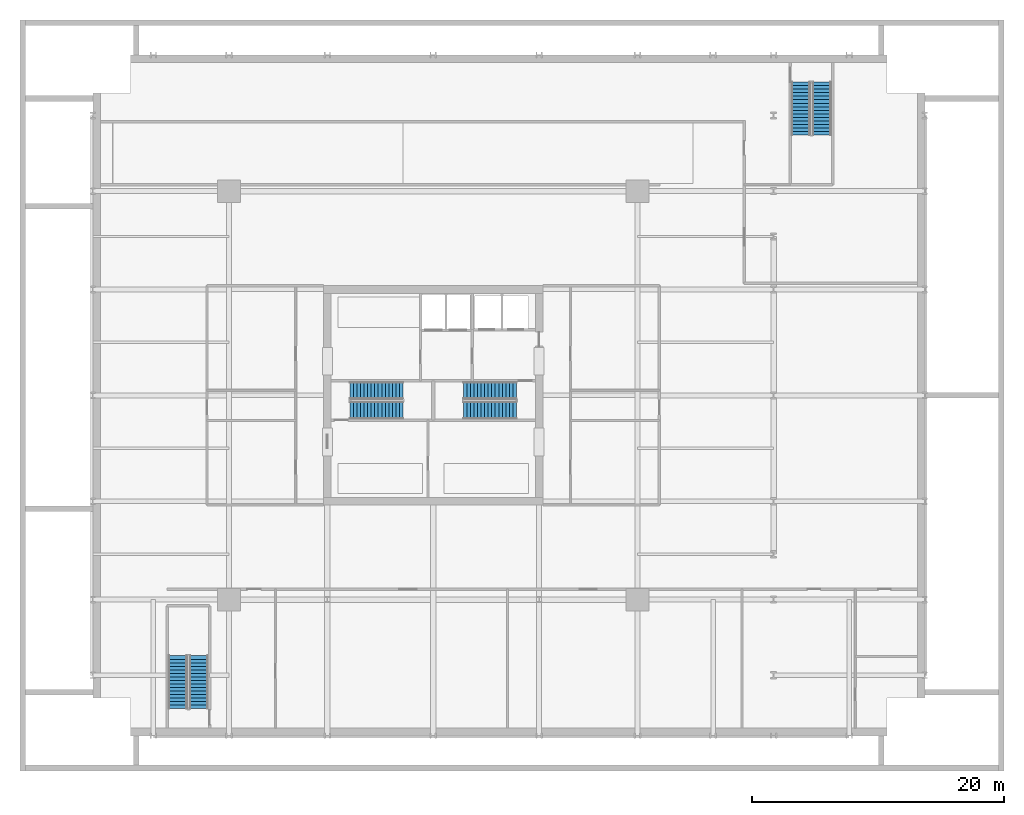
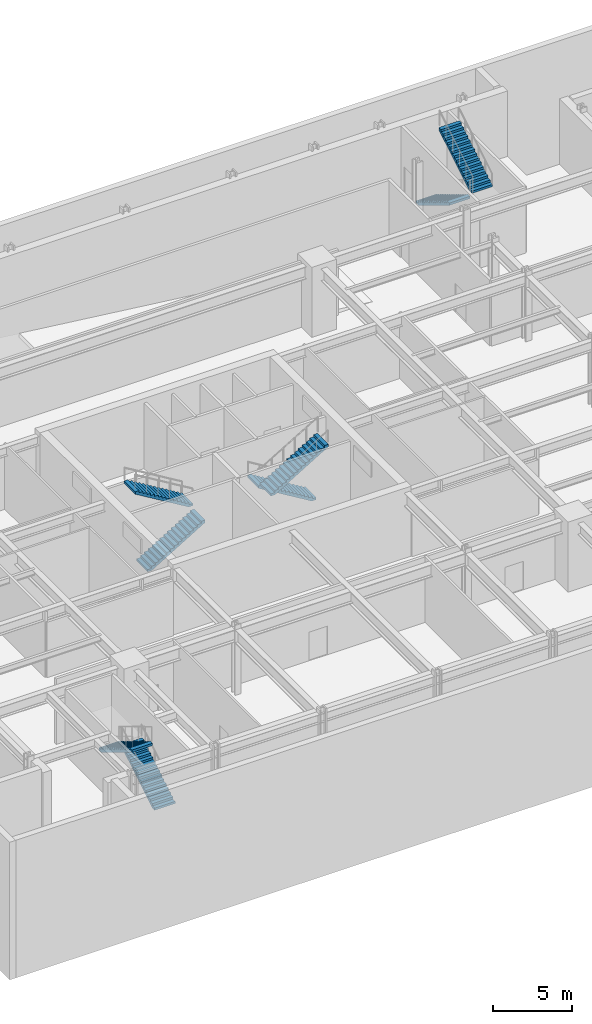
# One storey, part 6 of 9: 8 stair flights, 4 elements without a shape of their own.
"""IFC4 building model written with IfcOpenShell, lengths in metres."""

import ifcopenshell
import ifcopenshell.guid

model = None  # the IFC model being written
_history = None  # IfcOwnerHistory: only IFC2X3 demands one
_inside = {}  # id of a spatial element -> (the spatial element, [elements in it])
_under = {}  # id of a project, library or spatial element -> (it, [spatial elements below it])
_declared = {}  # id of a project -> (the project, [libraries it declares])
_typed = {}  # id of a type object -> (the type object, [elements of that type])
_made_of = {}  # id of a material, layer set ... -> (it, [elements and type objects made of it])


def new_model(schema):
    """Start an empty IFC model of exactly this schema.

    Asked for "IFC4X3", IfcOpenShell would pick the latest addendum, in which some entities
    have other attributes; the version numbers below select the first issue.
    IFC2X3 requires an IfcOwnerHistory on every rooted entity: one is made here for all.
    """
    global model, _history
    if schema == "IFC4X3":
        model = ifcopenshell.file(schema_version=(4, 3, 0, 0))
    else:
        model = ifcopenshell.file(schema=schema)
    _inside.clear()
    _under.clear()
    _declared.clear()
    _typed.clear()
    _made_of.clear()
    _history = None
    if model.schema == "IFC2X3":
        org = make("IfcOrganization", Name="unknown")
        user = make(
            "IfcPersonAndOrganization",
            ThePerson=make("IfcPerson", FamilyName="unknown"),
            TheOrganization=org,
        )
        app = make(
            "IfcApplication",
            ApplicationDeveloper=org,
            Version="unknown",
            ApplicationFullName="unknown",
            ApplicationIdentifier="unknown",
        )
        _history = make(
            "IfcOwnerHistory",
            OwningUser=user,
            OwningApplication=app,
            ChangeAction="ADDED",
            CreationDate=0,
        )
    return model


def make(cls, **values):
    """One entity of the class cls with the attributes given. An attribute that is None is left unset."""
    return model.create_entity(
        cls, **{name: value for name, value in values.items() if value is not None}
    )


def rooted(cls, **values):
    """An entity with a GlobalId (a new one), such as an element, a storey or a relation."""
    return make(cls, GlobalId=ifcopenshell.guid.new(), OwnerHistory=_history, **values)


def si_unit(unit_type, name, prefix=None):
    """IfcSIUnit, for example si_unit("LENGTHUNIT", "METRE", prefix="MILLI")."""
    return make("IfcSIUnit", UnitType=unit_type, Prefix=prefix, Name=name)


def assignment(units):
    """IfcUnitAssignment: the units of a project."""
    return None if units is None else make("IfcUnitAssignment", Units=units)


def point(xyz):
    """IfcCartesianPoint."""
    return None if xyz is None else make("IfcCartesianPoint", Coordinates=xyz)


def direction(xyz):
    """IfcDirection."""
    return None if xyz is None else make("IfcDirection", DirectionRatios=xyz)


def frame(location, z_axis=None, x_axis=None):
    """IfcAxis2Placement3D, a coordinate frame: its origin and axes. An axis left out is left unset."""
    return make(
        "IfcAxis2Placement3D",
        Location=point(location),
        Axis=direction(z_axis),
        RefDirection=direction(x_axis),
    )


def origin():
    """The frame at (0, 0, 0) with its axes left unset."""
    return frame((0.0, 0.0, 0.0))


def place(relative_to, where):
    """IfcLocalPlacement: puts the frame where relative to a parent placement (None: the world)."""
    return make(
        "IfcLocalPlacement", PlacementRelTo=relative_to, RelativePlacement=where
    )


def context(
    kind, dimensions, precision=None, world=None, true_north=None, identifier=None
):
    """IfcGeometricRepresentationContext, for example the 3D "Model" context."""
    return make(
        "IfcGeometricRepresentationContext",
        ContextIdentifier=identifier,
        ContextType=kind,
        CoordinateSpaceDimension=dimensions,
        Precision=precision,
        WorldCoordinateSystem=world,
        TrueNorth=true_north,
    )


def subcontext(parent, identifier, kind, view, scale=None):
    """IfcGeometricRepresentationSubContext, for example "Body" below "Model"."""
    return make(
        "IfcGeometricRepresentationSubContext",
        ContextIdentifier=identifier,
        ContextType=kind,
        ParentContext=parent,
        TargetScale=scale,
        TargetView=view,
    )


def project(units=None, contexts=None):
    """IfcProject with its units and contexts."""
    return rooted(
        "IfcProject",
        Name="project",
        RepresentationContexts=contexts,
        UnitsInContext=assignment(units),
    )


def spatial(cls, under=None, at=None, **own):
    """A site, building, storey or space (cls), placed at a placement, below another one or the project."""
    s = rooted(cls, ObjectPlacement=at, **own)
    if under is not None:
        _under.setdefault(under.id(), (under, []))[1].append(s)
    return s


def polyline(points):
    """IfcPolyline through the points."""
    return make("IfcPolyline", Points=[point(p) for p in points])


def outline(outer, holes=None, kind="AREA"):
    """IfcArbitraryClosedProfileDef: a profile drawn as a closed curve; with holes, ...WithVoids."""
    if holes is None:
        return make("IfcArbitraryClosedProfileDef", ProfileType=kind, OuterCurve=outer)
    return make(
        "IfcArbitraryProfileDefWithVoids",
        ProfileType=kind,
        OuterCurve=outer,
        InnerCurves=holes,
    )


def extrude(swept, where, along, depth):
    """IfcExtrudedAreaSolid: the profile swept, set in the frame where, extruded along a direction by depth."""
    return make(
        "IfcExtrudedAreaSolid",
        SweptArea=swept,
        Position=where,
        ExtrudedDirection=direction(along),
        Depth=depth,
    )


def shape(context_of_items, identifier, shape_type, items):
    """IfcShapeRepresentation: the items that make up one representation, for example the "Body"."""
    return make(
        "IfcShapeRepresentation",
        ContextOfItems=context_of_items,
        RepresentationIdentifier=identifier,
        RepresentationType=shape_type,
        Items=items,
    )


def material(Name=None, Category=None):
    """IfcMaterial."""
    return make("IfcMaterial", Name=Name, Category=Category)


def made_of(thing, what):
    """Note that an element or type object is made of a material, layer set ...; save() writes the relation."""
    if what is not None:
        _made_of.setdefault(what.id(), (what, []))[1].append(thing)
    return thing


def type_object(cls, material=None, **own):
    """A type object (cls), such as IfcWallType, which elements share."""
    return made_of(rooted(cls, **own), material)


def element(
    cls,
    number,
    at=None,
    inside=None,
    cuts=None,
    type_object=None,
    material=None,
    context=None,
    identifier="Body",
    shape_type=None,
    held_by="IfcProductDefinitionShape",
    body=None,
    shapes=None,
    **own,
):
    """One element of the class cls, such as IfcWall. Its Tag is "e" and its number.

    at: its placement. inside: the storey or other place that contains it. cuts: it is an
    opening in that element (IfcRelVoidsElement). A single representation is given by context,
    identifier, shape_type and body (its items); several are given by shapes. held_by: the class
    of the entity that holds the representations. save() writes the other relations.
    """
    e = rooted(cls, Tag="e%d" % number, ObjectPlacement=at, **own)
    if body is not None:
        shapes = [shape(context, identifier, shape_type, body)]
    if shapes is not None:
        e.Representation = make(held_by, Representations=shapes)
    if inside is not None:
        _inside.setdefault(inside.id(), (inside, []))[1].append(e)
    if cuts is not None:
        rooted(
            "IfcRelVoidsElement", RelatingBuildingElement=cuts, RelatedOpeningElement=e
        )
    if type_object is not None:
        _typed.setdefault(type_object.id(), (type_object, []))[1].append(e)
    return made_of(e, material)


def aggregate(whole, parts):
    """IfcRelAggregates: a whole, such as a stair, and the parts it consists of."""
    return rooted("IfcRelAggregates", RelatingObject=whole, RelatedObjects=parts)


def save(model, path):
    """Write the relations noted so far, then the file.

    IfcRelAggregates (storeys below a building ...), IfcRelContainedInSpatialStructure (elements
    in a storey), IfcRelDefinesByType, IfcRelAssociatesMaterial and IfcRelDeclares: one each for
    every whole, place, type object, material and project.
    """
    for whole, parts in _under.values():
        aggregate(whole, parts)
    for where, things in _inside.values():
        rooted(
            "IfcRelContainedInSpatialStructure",
            RelatedElements=things,
            RelatingStructure=where,
        )
    for kind, things in _typed.values():
        rooted("IfcRelDefinesByType", RelatedObjects=things, RelatingType=kind)
    for what, things in _made_of.values():
        rooted("IfcRelAssociatesMaterial", RelatedObjects=things, RelatingMaterial=what)
    for by, libraries in _declared.values():
        rooted("IfcRelDeclares", RelatingContext=by, RelatedDefinitions=libraries)
    model.write(path)


model = new_model("IFC4")

# Units and contexts
model_context = context("Model", 3, precision=1e-05, world=origin(), true_north=direction((0.0, 1.0)))
body_context = subcontext(model_context, "Body", "Model", "MODEL_VIEW")
ifc_project = project(units=[si_unit("LENGTHUNIT", "METRE"), si_unit("AREAUNIT", "SQUARE_METRE"), si_unit("VOLUMEUNIT", "CUBIC_METRE"), si_unit("PLANEANGLEUNIT", "RADIAN"), si_unit("MASSUNIT", "GRAM", prefix="KILO")], contexts=[model_context])

# Site, building, storey
site_placement = place(None, origin())
site = spatial("IfcSite", under=ifc_project, at=site_placement, CompositionType="ELEMENT")
building_placement = place(site_placement, origin())
building = spatial("IfcBuilding", under=site, at=building_placement, Name="Drelvath Grand Hotel", CompositionType="ELEMENT")
storey_placement = place(building_placement, frame((0.0, 0.0, -5.39990234375)))
storey = spatial("IfcBuildingStorey", under=building, at=storey_placement, Name="B1", CompositionType="ELEMENT", Elevation=-5.39990234375)

# Stair, stair flights
ifc_material = material(Name="Concrete C40/50", Category="concrete")
stair_type_1 = type_object("IfcStairType", Name="Dogleg Exit Stair W1400-R168.8", PredefinedType="HALF_TURN_STAIR", material=ifc_material)
stair_1_placement = place(storey_placement, origin())
stair_1 = element("IfcStair", 1, at=stair_1_placement, inside=storey, type_object=stair_type_1, Name="B1 Core Exit Stair ST-1", PredefinedType="HALF_TURN_STAIR")
stair_flight_type_1 = type_object("IfcStairFlightType", Name="Concrete Stair Flight W1400-R168.8", PredefinedType="STRAIGHT", material=ifc_material)
stair_flight_1_placement = place(storey_placement, frame((-6.60009765625, 25.820068359375, 0.0), z_axis=(0.0, 0.0, 1.0), x_axis=(1.0, 0.0, 0.0)))
stair_flight_1 = element("IfcStairFlight", 2, at=stair_flight_1_placement, type_object=stair_flight_type_1, Name="ST-1 flight 1", NumberOfRisers=16, NumberOfTreads=15, PredefinedType="STRAIGHT", RiserHeight=0.16875, TreadLength=0.28, context=body_context, shape_type="SweptSolid", body=[
    extrude(outline(polyline([(0.0, 0.0), (0.0, 0.168701171875), (0.280029296875, 0.168701171875), (0.280029296875, 0.33740234375), (0.56005859375, 0.33740234375), (0.56005859375, 0.50634765625), (0.840087890625, 0.50634765625), (0.840087890625, 0.675048828125), (1.1201171875, 0.675048828125), (1.1201171875, 0.84375), (1.39990234375, 0.84375), (1.39990234375, 1.012451171875), (1.679931640625, 1.012451171875), (1.679931640625, 1.18115234375), (1.9599609375, 1.18115234375), (1.9599609375, 1.35009765625), (2.239990234375, 1.35009765625), (2.239990234375, 1.518798828125), (2.52001953125, 1.518798828125), (2.52001953125, 1.6875), (2.800048828125, 1.6875), (2.800048828125, 1.856201171875), (3.080078125, 1.856201171875), (3.080078125, 2.02490234375), (3.360107421875, 2.02490234375), (3.360107421875, 2.19384765625), (3.639892578125, 2.19384765625), (3.639892578125, 2.362548828125), (3.919921875, 2.362548828125), (3.919921875, 2.53125), (4.199951171875, 2.53125), (4.199951171875, 2.699951171875), (4.199951171875, 2.344482421875), (0.309814453125, 0.0), (0.0, 0.0)])), frame((0.0, 0.699951171875, 0.0), z_axis=(0.0, -1.0, 0.0), x_axis=(1.0, 0.0, 0.0)), (0.0, 0.0, 1.0), 1.39990234375),
])
stair_flight_2_placement = place(storey_placement, frame((-2.39990234375, 27.3798828125, 2.699951171875), z_axis=(0.0, 0.0, 1.0), x_axis=(-1.0, 0.0, 0.0)))
stair_flight_2 = element("IfcStairFlight", 3, at=stair_flight_2_placement, type_object=stair_flight_type_1, Name="ST-1 flight 2", NumberOfRisers=16, NumberOfTreads=15, PredefinedType="STRAIGHT", RiserHeight=0.16875, TreadLength=0.28, context=body_context, shape_type="SweptSolid", body=[
    extrude(outline(polyline([(0.0, 0.0), (0.0, 0.168701171875), (0.280029296875, 0.168701171875), (0.280029296875, 0.33740234375), (0.56005859375, 0.33740234375), (0.56005859375, 0.50634765625), (0.840087890625, 0.50634765625), (0.840087890625, 0.675048828125), (1.1201171875, 0.675048828125), (1.1201171875, 0.84375), (1.39990234375, 0.84375), (1.39990234375, 1.012451171875), (1.679931640625, 1.012451171875), (1.679931640625, 1.18115234375), (1.9599609375, 1.18115234375), (1.9599609375, 1.35009765625), (2.239990234375, 1.35009765625), (2.239990234375, 1.518798828125), (2.52001953125, 1.518798828125), (2.52001953125, 1.6875), (2.800048828125, 1.6875), (2.800048828125, 1.856201171875), (3.080078125, 1.856201171875), (3.080078125, 2.02490234375), (3.360107421875, 2.02490234375), (3.360107421875, 2.19384765625), (3.639892578125, 2.19384765625), (3.639892578125, 2.362548828125), (3.919921875, 2.362548828125), (3.919921875, 2.53125), (4.199951171875, 2.53125), (4.199951171875, 2.699951171875), (4.199951171875, 2.344482421875), (0.309814453125, 0.0), (0.0, 0.0)])), frame((0.0, 0.699951171875, 0.0), z_axis=(0.0, -1.0, 0.0), x_axis=(1.0, 0.0, 0.0)), (0.0, 0.0, 1.0), 1.39990234375),
])
aggregate(stair_1, [stair_flight_1, stair_flight_2])

stair_2_placement = place(storey_placement, origin())
stair_2 = element("IfcStair", 4, at=stair_2_placement, inside=storey, type_object=stair_type_1, Name="B1 Core Exit Stair ST-2", PredefinedType="HALF_TURN_STAIR")
stair_flight_3_placement = place(storey_placement, frame((6.60009765625, 27.3798828125, 0.0), z_axis=(0.0, 0.0, 1.0), x_axis=(-1.0, 0.0, 0.0)))
stair_flight_3 = element("IfcStairFlight", 5, at=stair_flight_3_placement, type_object=stair_flight_type_1, Name="ST-2 flight 1", NumberOfRisers=16, NumberOfTreads=15, PredefinedType="STRAIGHT", RiserHeight=0.16875, TreadLength=0.28, context=body_context, shape_type="SweptSolid", body=[
    extrude(outline(polyline([(0.0, 0.0), (0.0, 0.168701171875), (0.280029296875, 0.168701171875), (0.280029296875, 0.33740234375), (0.56005859375, 0.33740234375), (0.56005859375, 0.50634765625), (0.840087890625, 0.50634765625), (0.840087890625, 0.675048828125), (1.1201171875, 0.675048828125), (1.1201171875, 0.84375), (1.39990234375, 0.84375), (1.39990234375, 1.012451171875), (1.679931640625, 1.012451171875), (1.679931640625, 1.18115234375), (1.9599609375, 1.18115234375), (1.9599609375, 1.35009765625), (2.239990234375, 1.35009765625), (2.239990234375, 1.518798828125), (2.52001953125, 1.518798828125), (2.52001953125, 1.6875), (2.800048828125, 1.6875), (2.800048828125, 1.856201171875), (3.080078125, 1.856201171875), (3.080078125, 2.02490234375), (3.360107421875, 2.02490234375), (3.360107421875, 2.19384765625), (3.639892578125, 2.19384765625), (3.639892578125, 2.362548828125), (3.919921875, 2.362548828125), (3.919921875, 2.53125), (4.199951171875, 2.53125), (4.199951171875, 2.699951171875), (4.199951171875, 2.344482421875), (0.309814453125, 0.0), (0.0, 0.0)])), frame((0.0, 0.699951171875, 0.0), z_axis=(0.0, -1.0, 0.0), x_axis=(1.0, 0.0, 0.0)), (0.0, 0.0, 1.0), 1.39990234375),
])
stair_flight_4_placement = place(storey_placement, frame((2.39990234375, 25.820068359375, 2.699951171875), z_axis=(0.0, 0.0, 1.0), x_axis=(1.0, 0.0, 0.0)))
stair_flight_4 = element("IfcStairFlight", 6, at=stair_flight_4_placement, type_object=stair_flight_type_1, Name="ST-2 flight 2", NumberOfRisers=16, NumberOfTreads=15, PredefinedType="STRAIGHT", RiserHeight=0.16875, TreadLength=0.28, context=body_context, shape_type="SweptSolid", body=[
    extrude(outline(polyline([(0.0, 0.0), (0.0, 0.168701171875), (0.280029296875, 0.168701171875), (0.280029296875, 0.33740234375), (0.56005859375, 0.33740234375), (0.56005859375, 0.50634765625), (0.840087890625, 0.50634765625), (0.840087890625, 0.675048828125), (1.1201171875, 0.675048828125), (1.1201171875, 0.84375), (1.39990234375, 0.84375), (1.39990234375, 1.012451171875), (1.679931640625, 1.012451171875), (1.679931640625, 1.18115234375), (1.9599609375, 1.18115234375), (1.9599609375, 1.35009765625), (2.239990234375, 1.35009765625), (2.239990234375, 1.518798828125), (2.52001953125, 1.518798828125), (2.52001953125, 1.6875), (2.800048828125, 1.6875), (2.800048828125, 1.856201171875), (3.080078125, 1.856201171875), (3.080078125, 2.02490234375), (3.360107421875, 2.02490234375), (3.360107421875, 2.19384765625), (3.639892578125, 2.19384765625), (3.639892578125, 2.362548828125), (3.919921875, 2.362548828125), (3.919921875, 2.53125), (4.199951171875, 2.53125), (4.199951171875, 2.699951171875), (4.199951171875, 2.344482421875), (0.309814453125, 0.0), (0.0, 0.0)])), frame((0.0, 0.699951171875, 0.0), z_axis=(0.0, -1.0, 0.0), x_axis=(1.0, 0.0, 0.0)), (0.0, 0.0, 1.0), 1.39990234375),
])
aggregate(stair_2, [stair_flight_3, stair_flight_4])

stair_type_2 = type_object("IfcStairType", Name="Dogleg Exit Stair W1500-R168.8", PredefinedType="HALF_TURN_STAIR", material=ifc_material)
stair_3_placement = place(storey_placement, origin())
stair_3 = element("IfcStair", 7, at=stair_3_placement, inside=storey, type_object=stair_type_2, Name="B1 Podium Exit Stair ST-3", PredefinedType="HALF_TURN_STAIR")
stair_flight_type_2 = type_object("IfcStairFlightType", Name="Concrete Stair Flight W1500-R168.8", PredefinedType="STRAIGHT", material=ifc_material)
stair_flight_5_placement = place(storey_placement, frame((-18.590087890625, 2.14990234375, 0.0), z_axis=(0.0, 0.0, 1.0), x_axis=(0.0, 1.0, 0.0)))
stair_flight_5 = element("IfcStairFlight", 8, at=stair_flight_5_placement, type_object=stair_flight_type_2, Name="ST-3 flight 1", NumberOfRisers=16, NumberOfTreads=15, PredefinedType="STRAIGHT", RiserHeight=0.16875, TreadLength=0.28, context=body_context, shape_type="SweptSolid", body=[
    extrude(outline(polyline([(0.0, 0.0), (0.0, 0.168701171875), (0.280029296875, 0.168701171875), (0.280029296875, 0.33740234375), (0.56005859375, 0.33740234375), (0.56005859375, 0.50634765625), (0.840087890625, 0.50634765625), (0.840087890625, 0.675048828125), (1.1201171875, 0.675048828125), (1.1201171875, 0.84375), (1.39990234375, 0.84375), (1.39990234375, 1.012451171875), (1.679931640625, 1.012451171875), (1.679931640625, 1.18115234375), (1.9599609375, 1.18115234375), (1.9599609375, 1.35009765625), (2.239990234375, 1.35009765625), (2.239990234375, 1.518798828125), (2.52001953125, 1.518798828125), (2.52001953125, 1.6875), (2.800048828125, 1.6875), (2.800048828125, 1.856201171875), (3.080078125, 1.856201171875), (3.080078125, 2.02490234375), (3.360107421875, 2.02490234375), (3.360107421875, 2.19384765625), (3.639892578125, 2.19384765625), (3.639892578125, 2.362548828125), (3.919921875, 2.362548828125), (3.919921875, 2.53125), (4.199951171875, 2.53125), (4.199951171875, 2.699951171875), (4.199951171875, 2.344482421875), (0.309814453125, 0.0), (0.0, 0.0)])), frame((0.0, 0.75, 0.0), z_axis=(0.0, -1.0, 0.0), x_axis=(1.0, 0.0, 0.0)), (0.0, 0.0, 1.0), 1.5),
])
stair_flight_6_placement = place(storey_placement, frame((-20.25, 6.35009765625, 2.699951171875), z_axis=(0.0, 0.0, 1.0), x_axis=(0.0, -1.0, 0.0)))
stair_flight_6 = element("IfcStairFlight", 9, at=stair_flight_6_placement, type_object=stair_flight_type_2, Name="ST-3 flight 2", NumberOfRisers=16, NumberOfTreads=15, PredefinedType="STRAIGHT", RiserHeight=0.16875, TreadLength=0.28, context=body_context, shape_type="SweptSolid", body=[
    extrude(outline(polyline([(0.0, 0.0), (0.0, 0.168701171875), (0.280029296875, 0.168701171875), (0.280029296875, 0.33740234375), (0.56005859375, 0.33740234375), (0.56005859375, 0.50634765625), (0.840087890625, 0.50634765625), (0.840087890625, 0.675048828125), (1.1201171875, 0.675048828125), (1.1201171875, 0.84375), (1.39990234375, 0.84375), (1.39990234375, 1.012451171875), (1.679931640625, 1.012451171875), (1.679931640625, 1.18115234375), (1.9599609375, 1.18115234375), (1.9599609375, 1.35009765625), (2.239990234375, 1.35009765625), (2.239990234375, 1.518798828125), (2.52001953125, 1.518798828125), (2.52001953125, 1.6875), (2.800048828125, 1.6875), (2.800048828125, 1.856201171875), (3.080078125, 1.856201171875), (3.080078125, 2.02490234375), (3.360107421875, 2.02490234375), (3.360107421875, 2.19384765625), (3.639892578125, 2.19384765625), (3.639892578125, 2.362548828125), (3.919921875, 2.362548828125), (3.919921875, 2.53125), (4.199951171875, 2.53125), (4.199951171875, 2.699951171875), (4.199951171875, 2.344482421875), (0.309814453125, 0.0), (0.0, 0.0)])), frame((0.0, 0.75, 0.0), z_axis=(0.0, -1.0, 0.0), x_axis=(1.0, 0.0, 0.0)), (0.0, 0.0, 1.0), 1.5),
])
aggregate(stair_3, [stair_flight_5, stair_flight_6])

stair_4_placement = place(storey_placement, origin())
stair_4 = element("IfcStair", 10, at=stair_4_placement, inside=storey, type_object=stair_type_2, Name="B1 Podium Exit Stair ST-4", PredefinedType="HALF_TURN_STAIR")
stair_flight_7_placement = place(storey_placement, frame((29.169921875, 51.85009765625, 0.0), z_axis=(0.0, 0.0, 1.0), x_axis=(0.0, -1.0, 0.0)))
stair_flight_7 = element("IfcStairFlight", 11, at=stair_flight_7_placement, type_object=stair_flight_type_2, Name="ST-4 flight 1", NumberOfRisers=16, NumberOfTreads=15, PredefinedType="STRAIGHT", RiserHeight=0.16875, TreadLength=0.28, context=body_context, shape_type="SweptSolid", body=[
    extrude(outline(polyline([(0.0, 0.0), (0.0, 0.168701171875), (0.280029296875, 0.168701171875), (0.280029296875, 0.33740234375), (0.56005859375, 0.33740234375), (0.56005859375, 0.50634765625), (0.840087890625, 0.50634765625), (0.840087890625, 0.675048828125), (1.1201171875, 0.675048828125), (1.1201171875, 0.84375), (1.39990234375, 0.84375), (1.39990234375, 1.012451171875), (1.679931640625, 1.012451171875), (1.679931640625, 1.18115234375), (1.9599609375, 1.18115234375), (1.9599609375, 1.35009765625), (2.239990234375, 1.35009765625), (2.239990234375, 1.518798828125), (2.52001953125, 1.518798828125), (2.52001953125, 1.6875), (2.800048828125, 1.6875), (2.800048828125, 1.856201171875), (3.080078125, 1.856201171875), (3.080078125, 2.02490234375), (3.360107421875, 2.02490234375), (3.360107421875, 2.19384765625), (3.639892578125, 2.19384765625), (3.639892578125, 2.362548828125), (3.919921875, 2.362548828125), (3.919921875, 2.53125), (4.199951171875, 2.53125), (4.199951171875, 2.699951171875), (4.199951171875, 2.344482421875), (0.309814453125, 0.0), (0.0, 0.0)])), frame((0.0, 0.75, 0.0), z_axis=(0.0, -1.0, 0.0), x_axis=(1.0, 0.0, 0.0)), (0.0, 0.0, 1.0), 1.5),
])
stair_flight_8_placement = place(storey_placement, frame((30.830078125, 47.64990234375, 2.699951171875), z_axis=(0.0, 0.0, 1.0), x_axis=(0.0, 1.0, 0.0)))
stair_flight_8 = element("IfcStairFlight", 12, at=stair_flight_8_placement, type_object=stair_flight_type_2, Name="ST-4 flight 2", NumberOfRisers=16, NumberOfTreads=15, PredefinedType="STRAIGHT", RiserHeight=0.16875, TreadLength=0.28, context=body_context, shape_type="SweptSolid", body=[
    extrude(outline(polyline([(0.0, 0.0), (0.0, 0.168701171875), (0.280029296875, 0.168701171875), (0.280029296875, 0.33740234375), (0.56005859375, 0.33740234375), (0.56005859375, 0.50634765625), (0.840087890625, 0.50634765625), (0.840087890625, 0.675048828125), (1.1201171875, 0.675048828125), (1.1201171875, 0.84375), (1.39990234375, 0.84375), (1.39990234375, 1.012451171875), (1.679931640625, 1.012451171875), (1.679931640625, 1.18115234375), (1.9599609375, 1.18115234375), (1.9599609375, 1.35009765625), (2.239990234375, 1.35009765625), (2.239990234375, 1.518798828125), (2.52001953125, 1.518798828125), (2.52001953125, 1.6875), (2.800048828125, 1.6875), (2.800048828125, 1.856201171875), (3.080078125, 1.856201171875), (3.080078125, 2.02490234375), (3.360107421875, 2.02490234375), (3.360107421875, 2.19384765625), (3.639892578125, 2.19384765625), (3.639892578125, 2.362548828125), (3.919921875, 2.362548828125), (3.919921875, 2.53125), (4.199951171875, 2.53125), (4.199951171875, 2.699951171875), (4.199951171875, 2.344482421875), (0.309814453125, 0.0), (0.0, 0.0)])), frame((0.0, 0.75, 0.0), z_axis=(0.0, -1.0, 0.0), x_axis=(1.0, 0.0, 0.0)), (0.0, 0.0, 1.0), 1.5),
])
aggregate(stair_4, [stair_flight_7, stair_flight_8])

save(model, "model.ifc")
